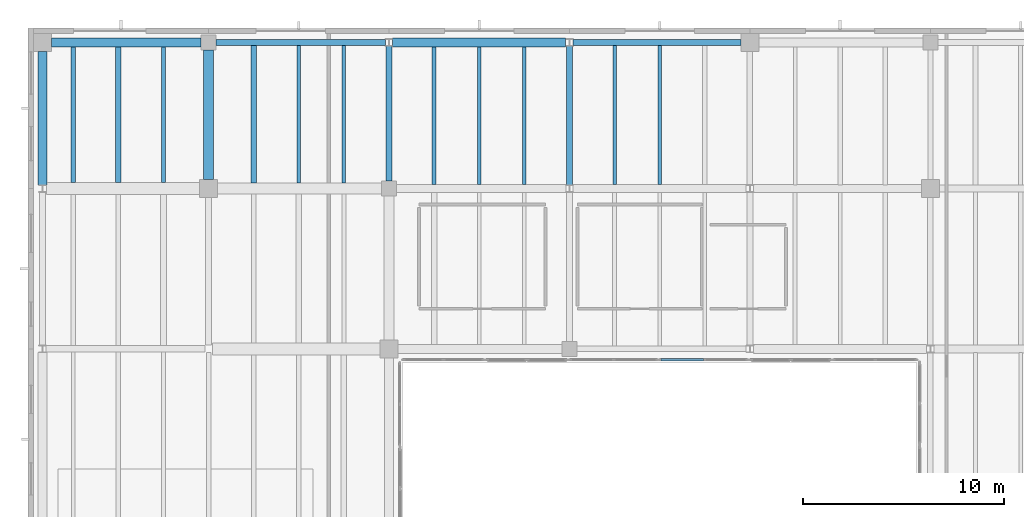
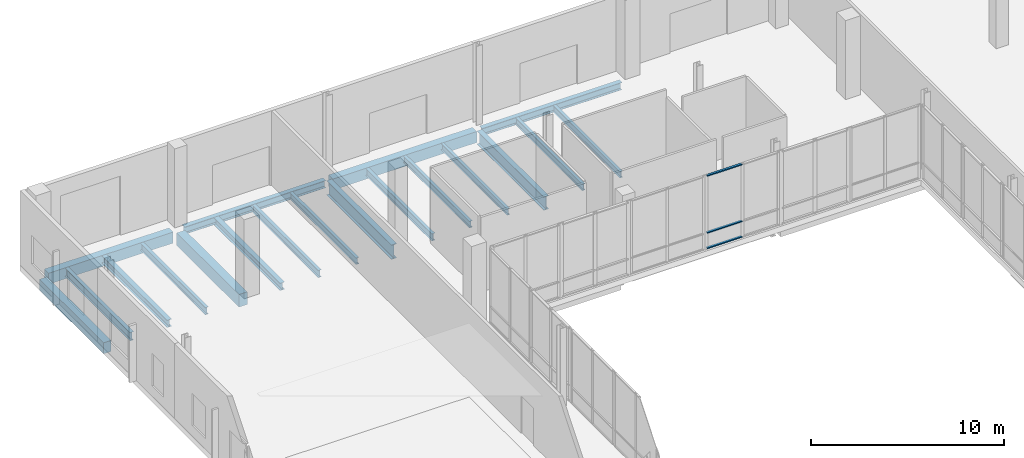
# One storey, part 41 of 88: 19 beams, 3 members, 1 element without a shape of its own.
"""IFC4 building model written with IfcOpenShell, lengths in metres."""

from ifc_helpers import new_model, si_unit, direction, frame, origin, origin_2d, place, context, subcontext, project, spatial, rectangle, i_section, extrude, material, material_profile, profile_set, type_object, element, aggregate, save


model = new_model("IFC4")

# Units and contexts
model_context = context("Model", 3, precision=1e-05, world=origin(), true_north=direction((0.0, 1.0)))
body_context = subcontext(model_context, "Body", "Model", "MODEL_VIEW")
ifc_project = project(units=[si_unit("LENGTHUNIT", "METRE"), si_unit("AREAUNIT", "SQUARE_METRE"), si_unit("VOLUMEUNIT", "CUBIC_METRE"), si_unit("PLANEANGLEUNIT", "RADIAN"), si_unit("MASSUNIT", "GRAM", prefix="KILO")], contexts=[model_context])

# Site, building, storey
site_placement = place(None, origin())
site = spatial("IfcSite", under=ifc_project, at=site_placement, CompositionType="ELEMENT")
building_placement = place(site_placement, origin())
building = spatial("IfcBuilding", under=site, at=building_placement, Name="Trimount Lyric Opera House", CompositionType="ELEMENT")
storey_placement = place(building_placement, origin())
storey = spatial("IfcBuildingStorey", under=building, at=storey_placement, Name="L00", CompositionType="ELEMENT", Elevation=0.0)

# Beams
ifc_material_1 = material(Name="Steel ASTM A992 Grade 50", Category="steel")
ifc_material_profile_1 = material_profile(ifc_material_1, i_section(OverallWidth=0.304931640625, OverallDepth=0.9189453125, WebThickness=0.017333984375, FlangeThickness=0.02783203125, FilletRadius=0.02001953125, at=origin_2d()), Name="W36X170")
ifc_profile_set_1 = profile_set([ifc_material_profile_1], Name="Steel ASTM A992 Grade 50")
beam_type_1 = type_object("IfcBeamType", Name="B-03", PredefinedType="BEAM", material=ifc_profile_set_1)
beam_1_placement = place(storey_placement, frame((18.0, 110.375, -0.8095703125), z_axis=(0.0, 1.0, 0.0), x_axis=(-1.0, 0.0, 0.0)))
element("IfcBeam", 1, at=beam_1_placement, inside=storey, type_object=beam_type_1, Name="L00 girder Y-0271", PredefinedType="BEAM", context=body_context, shape_type="SweptSolid", body=[
    extrude(i_section(OverallWidth=0.304931640625, OverallDepth=0.9189453125, WebThickness=0.017333984375, FlangeThickness=0.02783203125, FilletRadius=0.02001953125, at=origin_2d()), origin(), (0.0, 0.0, 1.0), 6.72705078125),
])
ifc_material_2 = material(Name="Steel ASTM A992 Grade 50", Category="steel")
ifc_material_profile_2 = material_profile(ifc_material_2, i_section(OverallWidth=0.2919921875, OverallDepth=0.845947265625, WebThickness=0.015380859375, FlangeThickness=0.0244140625, FilletRadius=0.01806640625, at=origin_2d()), Name="W33X141")
ifc_profile_set_2 = profile_set([ifc_material_profile_2], Name="Steel ASTM A992 Grade 50")
beam_type_2 = type_object("IfcBeamType", Name="B-05", PredefinedType="BEAM", material=ifc_profile_set_2)
beam_2_placement = place(storey_placement, frame((27.0, 110.177978515625, -0.77294921875), z_axis=(0.0, 1.0, 0.0), x_axis=(-1.0, 0.0, 0.0)))
element("IfcBeam", 2, at=beam_2_placement, inside=storey, type_object=beam_type_2, Name="L00 girder Y-0276", PredefinedType="BEAM", context=body_context, shape_type="SweptSolid", body=[
    extrude(i_section(OverallWidth=0.2919921875, OverallDepth=0.845947265625, WebThickness=0.015380859375, FlangeThickness=0.0244140625, FilletRadius=0.01806640625, at=origin_2d()), origin(), (0.0, 0.0, 1.0), 6.91796875),
])
ifc_material_3 = material(Name="Concrete C40/50", Category="concrete")
ifc_material_profile_3 = material_profile(ifc_material_3, rectangle(XDim=0.5, YDim=0.800048828125, at=origin_2d()), Name="RC500X800")
ifc_profile_set_3 = profile_set([ifc_material_profile_3], Name="Concrete C40/50")
beam_type_3 = type_object("IfcBeamType", Name="B-15", PredefinedType="BEAM", material=ifc_profile_set_3)
beam_3_placement = place(storey_placement, frame((9.0, 110.449951171875, -0.75), z_axis=(0.0, 1.0, 0.0), x_axis=(-1.0, 0.0, 0.0)))
element("IfcBeam", 3, at=beam_3_placement, inside=storey, type_object=beam_type_3, Name="L00 girder Y-0262", PredefinedType="BEAM", context=body_context, shape_type="SweptSolid", body=[
    extrude(rectangle(XDim=0.5, YDim=0.800048828125, at=origin_2d()), origin(), (0.0, 0.0, 1.0), 6.455078125),
])
ifc_material_4 = material(Name="Steel ASTM A992 Grade 50", Category="steel")
ifc_material_profile_4 = material_profile(ifc_material_4, i_section(OverallWidth=0.2099609375, OverallDepth=0.532958984375, WebThickness=0.01025390625, FlangeThickness=0.015625, FilletRadius=0.012939453125, at=origin_2d()), Name="W21X62")
ifc_profile_set_4 = profile_set([ifc_material_profile_4], Name="Steel ASTM A992 Grade 50")
beam_type_4 = type_object("IfcBeamType", Name="J-02", PredefinedType="BEAM", material=ifc_profile_set_4)
beam_4_placement = place(storey_placement, frame((2.25, 110.2958984375, -0.616455078125), z_axis=(0.0, 1.0, 0.0), x_axis=(-1.0, 0.0, 0.0)))
element("IfcBeam", 4, at=beam_4_placement, inside=storey, type_object=beam_type_4, Name="L00 composite floor joist 0037", PredefinedType="BEAM", context=body_context, shape_type="SweptSolid", body=[
    extrude(i_section(OverallWidth=0.2099609375, OverallDepth=0.532958984375, WebThickness=0.01025390625, FlangeThickness=0.015625, FilletRadius=0.012939453125, at=origin_2d()), origin(), (0.0, 0.0, 1.0), 6.76318359375),
])
ifc_material_5 = material(Name="Steel ASTM A992 Grade 50", Category="steel")
ifc_material_profile_5 = material_profile(ifc_material_5, i_section(OverallWidth=0.281982421875, OverallDepth=0.467041015625, WebThickness=0.01220703125, FlangeThickness=0.01953125, FilletRadius=0.012939453125, at=origin_2d()), Name="W18X86")
ifc_profile_set_5 = profile_set([ifc_material_profile_5], Name="Steel ASTM A992 Grade 50")
beam_type_5 = type_object("IfcBeamType", Name="J-03", PredefinedType="BEAM", material=ifc_profile_set_5)
beam_5_placement = place(storey_placement, frame((4.5, 110.2958984375, -0.58349609375), z_axis=(0.0, 1.0, 0.0), x_axis=(-1.0, 0.0, 0.0)))
element("IfcBeam", 5, at=beam_5_placement, inside=storey, type_object=beam_type_5, Name="L00 composite floor joist 0038", PredefinedType="BEAM", context=body_context, shape_type="SweptSolid", body=[
    extrude(i_section(OverallWidth=0.281982421875, OverallDepth=0.467041015625, WebThickness=0.01220703125, FlangeThickness=0.01953125, FilletRadius=0.012939453125, at=origin_2d()), origin(), (0.0, 0.0, 1.0), 6.76318359375),
])
beam_6_placement = place(storey_placement, frame((11.25, 110.27099609375, -0.58349609375), z_axis=(0.0, 1.0, 0.0), x_axis=(-1.0, 0.0, 0.0)))
element("IfcBeam", 6, at=beam_6_placement, inside=storey, type_object=beam_type_5, Name="L00 composite floor joist 0064", PredefinedType="BEAM", context=body_context, shape_type="SweptSolid", body=[
    extrude(i_section(OverallWidth=0.281982421875, OverallDepth=0.467041015625, WebThickness=0.01220703125, FlangeThickness=0.01953125, FilletRadius=0.012939453125, at=origin_2d()), origin(), (0.0, 0.0, 1.0), 6.8720703125),
])
ifc_material_6 = material(Name="Steel ASTM A992 Grade 50", Category="steel")
ifc_material_profile_6 = material_profile(ifc_material_6, i_section(OverallWidth=0.19091796875, OverallDepth=0.45703125, WebThickness=0.009033203125, FlangeThickness=0.014404296875, FilletRadius=0.010986328125, at=origin_2d()), Name="W18X50")
ifc_profile_set_6 = profile_set([ifc_material_profile_6], Name="Steel ASTM A992 Grade 50")
beam_type_6 = type_object("IfcBeamType", Name="J-04", PredefinedType="BEAM", material=ifc_profile_set_6)
beam_7_placement = place(storey_placement, frame((6.75, 110.2958984375, -0.57861328125), z_axis=(0.0, 1.0, 0.0), x_axis=(-1.0, 0.0, 0.0)))
element("IfcBeam", 7, at=beam_7_placement, inside=storey, type_object=beam_type_6, Name="L00 composite floor joist 0039", PredefinedType="BEAM", context=body_context, shape_type="SweptSolid", body=[
    extrude(i_section(OverallWidth=0.19091796875, OverallDepth=0.45703125, WebThickness=0.009033203125, FlangeThickness=0.014404296875, FilletRadius=0.010986328125, at=origin_2d()), origin(), (0.0, 0.0, 1.0), 6.76318359375),
])
beam_8_placement = place(storey_placement, frame((13.5, 110.27099609375, -0.57861328125), z_axis=(0.0, 1.0, 0.0), x_axis=(-1.0, 0.0, 0.0)))
element("IfcBeam", 8, at=beam_8_placement, inside=storey, type_object=beam_type_6, Name="L00 composite floor joist 0065", PredefinedType="BEAM", context=body_context, shape_type="SweptSolid", body=[
    extrude(i_section(OverallWidth=0.19091796875, OverallDepth=0.45703125, WebThickness=0.009033203125, FlangeThickness=0.014404296875, FilletRadius=0.010986328125, at=origin_2d()), origin(), (0.0, 0.0, 1.0), 6.8720703125),
])
beam_9_placement = place(storey_placement, frame((20.25, 110.20556640625, -0.57861328125), z_axis=(0.0, 1.0, 0.0), x_axis=(-1.0, 0.0, 0.0)))
element("IfcBeam", 9, at=beam_9_placement, inside=storey, type_object=beam_type_6, Name="L00 composite floor joist 0079", PredefinedType="BEAM", context=body_context, shape_type="SweptSolid", body=[
    extrude(i_section(OverallWidth=0.19091796875, OverallDepth=0.45703125, WebThickness=0.009033203125, FlangeThickness=0.014404296875, FilletRadius=0.010986328125, at=origin_2d()), origin(), (0.0, 0.0, 1.0), 6.853515625),
])
ifc_material_7 = material(Name="Steel ASTM A992 Grade 50", Category="steel")
ifc_material_profile_7 = material_profile(ifc_material_7, i_section(OverallWidth=0.180908203125, OverallDepth=0.4169921875, WebThickness=0.010986328125, FlangeThickness=0.018310546875, FilletRadius=0.010986328125, at=origin_2d()), Name="W16X57")
ifc_profile_set_7 = profile_set([ifc_material_profile_7], Name="Steel ASTM A992 Grade 50")
beam_type_7 = type_object("IfcBeamType", Name="J-05", PredefinedType="BEAM", material=ifc_profile_set_7)
beam_10_placement = place(storey_placement, frame((15.75, 110.27099609375, -0.55859375), z_axis=(0.0, 1.0, 0.0), x_axis=(-1.0, 0.0, 0.0)))
element("IfcBeam", 10, at=beam_10_placement, inside=storey, type_object=beam_type_7, Name="L00 composite floor joist 0066", PredefinedType="BEAM", context=body_context, shape_type="SweptSolid", body=[
    extrude(i_section(OverallWidth=0.180908203125, OverallDepth=0.4169921875, WebThickness=0.010986328125, FlangeThickness=0.018310546875, FilletRadius=0.010986328125, at=origin_2d()), origin(), (0.0, 0.0, 1.0), 6.8720703125),
])
beam_11_placement = place(storey_placement, frame((22.5, 110.20556640625, -0.55859375), z_axis=(0.0, 1.0, 0.0), x_axis=(-1.0, 0.0, 0.0)))
element("IfcBeam", 11, at=beam_11_placement, inside=storey, type_object=beam_type_7, Name="L00 composite floor joist 0080", PredefinedType="BEAM", context=body_context, shape_type="SweptSolid", body=[
    extrude(i_section(OverallWidth=0.180908203125, OverallDepth=0.4169921875, WebThickness=0.010986328125, FlangeThickness=0.018310546875, FilletRadius=0.010986328125, at=origin_2d()), origin(), (0.0, 0.0, 1.0), 6.853515625),
])
beam_12_placement = place(storey_placement, frame((29.25, 110.196533203125, -0.55859375), z_axis=(0.0, 1.0, 0.0), x_axis=(-1.0, 0.0, 0.0)))
element("IfcBeam", 12, at=beam_12_placement, inside=storey, type_object=beam_type_7, Name="L00 composite floor joist 0095", PredefinedType="BEAM", context=body_context, shape_type="SweptSolid", body=[
    extrude(i_section(OverallWidth=0.180908203125, OverallDepth=0.4169921875, WebThickness=0.010986328125, FlangeThickness=0.018310546875, FilletRadius=0.010986328125, at=origin_2d()), origin(), (0.0, 0.0, 1.0), 6.946533203125),
])
ifc_material_8 = material(Name="Steel ASTM A992 Grade 50", Category="steel")
ifc_material_profile_8 = material_profile(ifc_material_8, i_section(OverallWidth=0.177978515625, OverallDepth=0.404052734375, WebThickness=0.007568359375, FlangeThickness=0.010986328125, FilletRadius=0.010009765625, at=origin_2d()), Name="W16X36")
ifc_profile_set_8 = profile_set([ifc_material_profile_8], Name="Steel ASTM A992 Grade 50")
beam_type_8 = type_object("IfcBeamType", Name="J-06", PredefinedType="BEAM", material=ifc_profile_set_8)
beam_13_placement = place(storey_placement, frame((24.75, 110.20556640625, -0.552001953125), z_axis=(0.0, 1.0, 0.0), x_axis=(-1.0, 0.0, 0.0)))
element("IfcBeam", 13, at=beam_13_placement, inside=storey, type_object=beam_type_8, Name="L00 composite floor joist 0081", PredefinedType="BEAM", context=body_context, shape_type="SweptSolid", body=[
    extrude(i_section(OverallWidth=0.177978515625, OverallDepth=0.404052734375, WebThickness=0.007568359375, FlangeThickness=0.010986328125, FilletRadius=0.010009765625, at=origin_2d()), origin(), (0.0, 0.0, 1.0), 6.853515625),
])
beam_14_placement = place(storey_placement, frame((31.5, 110.196533203125, -0.552001953125), z_axis=(0.0, 1.0, 0.0), x_axis=(-1.0, 0.0, 0.0)))
element("IfcBeam", 14, at=beam_14_placement, inside=storey, type_object=beam_type_8, Name="L00 composite floor joist 0096", PredefinedType="BEAM", context=body_context, shape_type="SweptSolid", body=[
    extrude(i_section(OverallWidth=0.177978515625, OverallDepth=0.404052734375, WebThickness=0.007568359375, FlangeThickness=0.010986328125, FilletRadius=0.010009765625, at=origin_2d()), origin(), (0.0, 0.0, 1.0), 6.946533203125),
])
ifc_material_9 = material(Name="Steel ASTM A992 Grade 50", Category="steel")
ifc_material_profile_9 = material_profile(ifc_material_9, i_section(OverallWidth=0.281982421875, OverallDepth=0.467041015625, WebThickness=0.01220703125, FlangeThickness=0.01953125, FilletRadius=0.012939453125, at=origin_2d()), Name="W18X86")
ifc_profile_set_9 = profile_set([ifc_material_profile_9], Name="Steel ASTM A992 Grade 50")
beam_type_9 = type_object("IfcBeamType", Name="SP-01", PredefinedType="SPANDREL", material=ifc_profile_set_9)
beam_15_placement = place(storey_placement, frame((9.375, 117.280029296875, -0.58349609375), z_axis=(1.0, 0.0, 0.0), x_axis=(0.0, 1.0, 0.0)))
element("IfcBeam", 15, at=beam_15_placement, inside=storey, type_object=beam_type_9, Name="L00 girder X-0219", PredefinedType="SPANDREL", context=body_context, shape_type="SweptSolid", body=[
    extrude(i_section(OverallWidth=0.281982421875, OverallDepth=0.467041015625, WebThickness=0.01220703125, FlangeThickness=0.01953125, FilletRadius=0.012939453125, at=origin_2d()), origin(), (0.0, 0.0, 1.0), 8.44091796875),
])
beam_16_placement = place(storey_placement, frame((27.1865234375, 117.280029296875, -0.58349609375), z_axis=(1.0, 0.0, 0.0), x_axis=(0.0, 1.0, 0.0)))
element("IfcBeam", 16, at=beam_16_placement, inside=storey, type_object=beam_type_9, Name="L00 girder X-0221", PredefinedType="SPANDREL", context=body_context, shape_type="SweptSolid", body=[
    extrude(i_section(OverallWidth=0.281982421875, OverallDepth=0.467041015625, WebThickness=0.01220703125, FlangeThickness=0.01953125, FilletRadius=0.012939453125, at=origin_2d()), origin(), (0.0, 0.0, 1.0), 8.363525390625),
])
ifc_material_10 = material(Name="Concrete C40/50", Category="concrete")
ifc_material_profile_10 = material_profile(ifc_material_10, rectangle(XDim=0.449951171875, YDim=0.699951171875, at=origin_2d()), Name="RC450X700")
ifc_profile_set_10 = profile_set([ifc_material_profile_10], Name="Concrete C40/50")
beam_type_10 = type_object("IfcBeamType", Name="SP-02", PredefinedType="SPANDREL", material=ifc_profile_set_10)
beam_17_placement = place(storey_placement, frame((1.169921875, 117.280029296875, -0.699951171875), z_axis=(1.0, 0.0, 0.0), x_axis=(0.0, 1.0, 0.0)))
element("IfcBeam", 17, at=beam_17_placement, inside=storey, type_object=beam_type_10, Name="L00 girder X-0218", PredefinedType="SPANDREL", context=body_context, shape_type="SweptSolid", body=[
    extrude(rectangle(XDim=0.449951171875, YDim=0.699951171875, at=origin_2d()), origin(), (0.0, 0.0, 1.0), 7.455078125),
])
beam_18_placement = place(storey_placement, frame((18.18408203125, 117.280029296875, -0.699951171875), z_axis=(1.0, 0.0, 0.0), x_axis=(0.0, 1.0, 0.0)))
element("IfcBeam", 18, at=beam_18_placement, inside=storey, type_object=beam_type_10, Name="L00 girder X-0220", PredefinedType="SPANDREL", context=body_context, shape_type="SweptSolid", body=[
    extrude(rectangle(XDim=0.449951171875, YDim=0.699951171875, at=origin_2d()), origin(), (0.0, 0.0, 1.0), 8.62939453125),
])
beam_19_placement = place(storey_placement, frame((0.719970703125, 110.18408203125, -0.699951171875), z_axis=(0.0, 1.0, 0.0), x_axis=(-1.0, 0.0, 0.0)))
element("IfcBeam", 19, at=beam_19_placement, inside=storey, type_object=beam_type_10, Name="L00 girder Y-0249", PredefinedType="SPANDREL", context=body_context, shape_type="SweptSolid", body=[
    extrude(rectangle(XDim=0.449951171875, YDim=0.699951171875, at=origin_2d()), origin(), (0.0, 0.0, 1.0), 6.64599609375),
])

# Curtain wall, members
ifc_material_11 = material(Name="Thermally Broken Aluminium and Low-E Glass", Category="aluminium")
curtain_wall_type = type_object("IfcCurtainWallType", Name="CW-03", PredefinedType="NOTDEFINED", material=ifc_material_11)
curtain_wall_placement = place(storey_placement, origin())
curtain_wall = element("IfcCurtainWall", 20, at=curtain_wall_placement, inside=storey, type_object=curtain_wall_type, Name="L00 curtain wall 067", PredefinedType="NOTDEFINED")
ifc_material_12 = material(Name="Anodised Aluminium 6063-T6", Category="aluminium")
ifc_material_profile_11 = material_profile(ifc_material_12, rectangle(XDim=0.135009765625, YDim=0.06494140625, at=origin_2d()), Name="ALU-TRAN-65X135")
ifc_profile_set_11 = profile_set([ifc_material_profile_11], Name="Anodised Aluminium 6063-T6")
member_type = type_object("IfcMemberType", Name="TR-02", PredefinedType="USERDEFINED", material=ifc_profile_set_11)
member_1_placement = place(storey_placement, frame((33.672607421875, 101.4599609375, 0.0673828125), z_axis=(-1.0, 0.0, 0.0), x_axis=(0.0, -1.0, 0.0)))
member_1 = element("IfcMember", 21, at=member_1_placement, type_object=member_type, Name="CW-03 transom 2.1", ObjectType="TRANSOM", PredefinedType="USERDEFINED", context=body_context, shape_type="SweptSolid", body=[
    extrude(rectangle(XDim=0.135009765625, YDim=0.06494140625, at=origin_2d()), origin(), (0.0, 0.0, 1.0), 2.107666015625),
])
member_2_placement = place(storey_placement, frame((33.672607421875, 101.4599609375, 1.050048828125), z_axis=(-1.0, 0.0, 0.0), x_axis=(0.0, -1.0, 0.0)))
member_2 = element("IfcMember", 22, at=member_2_placement, type_object=member_type, Name="CW-03 transom 2.2", ObjectType="TRANSOM", PredefinedType="USERDEFINED", context=body_context, shape_type="SweptSolid", body=[
    extrude(rectangle(XDim=0.135009765625, YDim=0.06494140625, at=origin_2d()), origin(), (0.0, 0.0, 1.0), 2.107666015625),
])
member_3_placement = place(storey_placement, frame((33.672607421875, 101.4599609375, 4.652587890625), z_axis=(-1.0, 0.0, 0.0), x_axis=(0.0, -1.0, 0.0)))
member_3 = element("IfcMember", 23, at=member_3_placement, type_object=member_type, Name="CW-03 transom 2.3", ObjectType="TRANSOM", PredefinedType="USERDEFINED", context=body_context, shape_type="SweptSolid", body=[
    extrude(rectangle(XDim=0.135009765625, YDim=0.06494140625, at=origin_2d()), origin(), (0.0, 0.0, 1.0), 2.107666015625),
])
aggregate(curtain_wall, [member_1, member_2, member_3])

save(model, "model.ifc")
